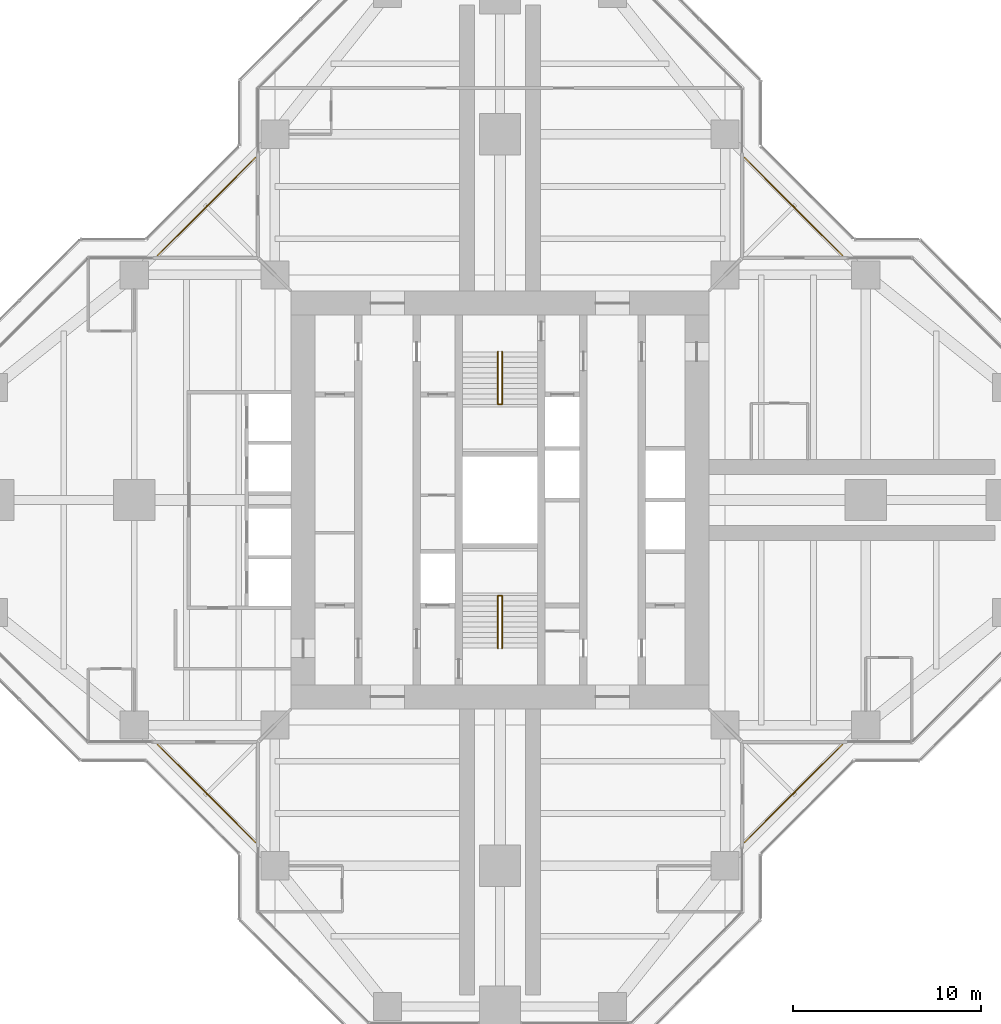
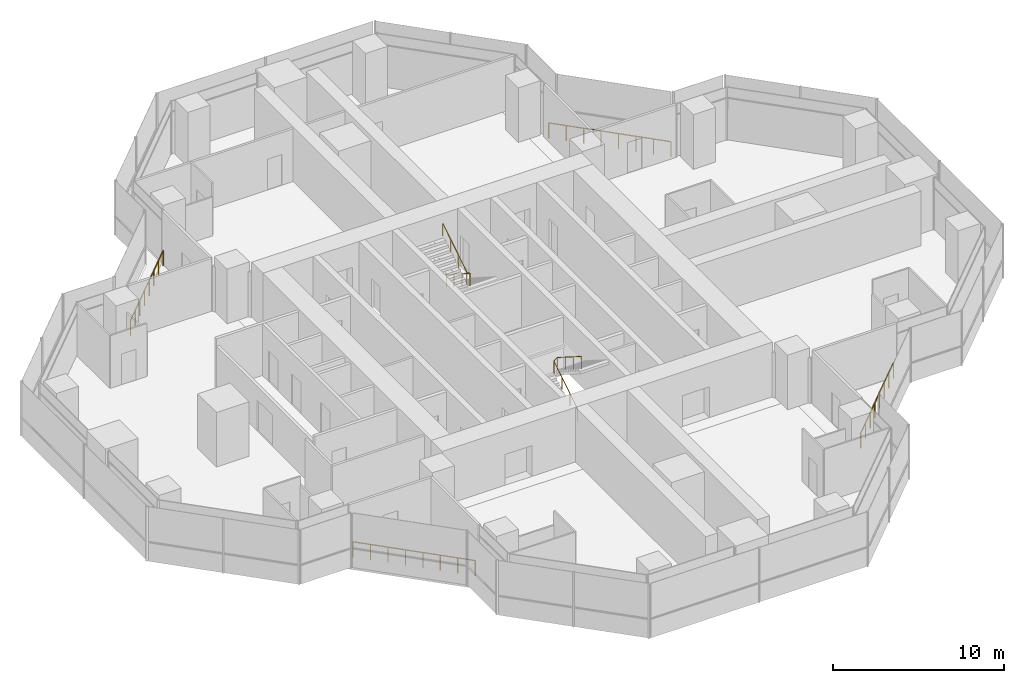
# One storey, part 17 of 17: 6 railings.
"""IFC4 building model written with IfcOpenShell, lengths in metres."""

from ifc_helpers import new_model, si_unit, direction, frame, origin, origin_2d, place, context, subcontext, project, spatial, circle, extrude, material, type_object, element, save


model = new_model("IFC4")

# Units and contexts
model_context = context("Model", 3, precision=1e-05, world=origin(), true_north=direction((0.0, 1.0)))
body_context = subcontext(model_context, "Body", "Model", "MODEL_VIEW")
ifc_project = project(units=[si_unit("LENGTHUNIT", "METRE"), si_unit("AREAUNIT", "SQUARE_METRE"), si_unit("VOLUMEUNIT", "CUBIC_METRE"), si_unit("PLANEANGLEUNIT", "RADIAN"), si_unit("MASSUNIT", "GRAM", prefix="KILO")], contexts=[model_context])

# Site, building, storey
site_placement = place(None, origin())
site = spatial("IfcSite", under=ifc_project, at=site_placement, CompositionType="ELEMENT")
building_placement = place(site_placement, origin())
building = spatial("IfcBuilding", under=site, at=building_placement, Name="Mizan Broadcast Tower", CompositionType="ELEMENT")
storey_placement = place(building_placement, frame((0.0, 0.0, 259.5)))
storey = spatial("IfcBuildingStorey", under=building, at=storey_placement, Name="L61", CompositionType="ELEMENT", Elevation=259.5)

# Railings
ifc_material_1 = material(Name="Stainless steel and glass guard", Category="steel")
railing_type_1 = type_object("IfcRailingType", Name="GUARD 1100", PredefinedType="GUARDRAIL", material=ifc_material_1)
railing_1_placement = place(storey_placement, frame((18.2578125, 13.030029296875, 0.0)))
element("IfcRailing", 1, at=railing_1_placement, inside=storey, type_object=railing_type_1, Name="Winter garden guard L61 E", PredefinedType="GUARDRAIL", context=body_context, shape_type="SweptSolid", body=[
    extrude(circle(Radius=0.02392578125, at=origin_2d()), frame((0.0, 0.0, 1.076171875), z_axis=(-0.707106781187, 0.707106781187, 0.0), x_axis=(-0.707106781187, -0.707106781187, 0.0)), (0.0, 0.0, 1.0), 7.393310546875),
    extrude(circle(Radius=0.02099609375, at=origin_2d()), origin(), (0.0, 0.0, 1.0), 1.052001953125),
    extrude(circle(Radius=0.02099609375, at=origin_2d()), frame((-0.746826171875, 0.746826171875, 0.0)), (0.0, 0.0, 1.0), 1.052001953125),
    extrude(circle(Radius=0.02099609375, at=origin_2d()), frame((-1.49365234375, 1.49365234375, 0.0)), (0.0, 0.0, 1.0), 1.052001953125),
    extrude(circle(Radius=0.02099609375, at=origin_2d()), frame((-2.240478515625, 2.240478515625, 0.0)), (0.0, 0.0, 1.0), 1.052001953125),
    extrude(circle(Radius=0.02099609375, at=origin_2d()), frame((-2.9873046875, 2.9873046875, 0.0)), (0.0, 0.0, 1.0), 1.052001953125),
    extrude(circle(Radius=0.02099609375, at=origin_2d()), frame((-3.734130859375, 3.734130859375, 0.0)), (0.0, 0.0, 1.0), 1.052001953125),
    extrude(circle(Radius=0.02099609375, at=origin_2d()), frame((-4.48095703125, 4.48095703125, 0.0)), (0.0, 0.0, 1.0), 1.052001953125),
    extrude(circle(Radius=0.02099609375, at=origin_2d()), frame((-5.227783203125, 5.227783203125, 0.0)), (0.0, 0.0, 1.0), 1.052001953125),
])
railing_2_placement = place(storey_placement, frame((-13.030029296875, 18.2578125, 0.0)))
element("IfcRailing", 2, at=railing_2_placement, inside=storey, type_object=railing_type_1, Name="Winter garden guard L61 N", PredefinedType="GUARDRAIL", context=body_context, shape_type="SweptSolid", body=[
    extrude(circle(Radius=0.02392578125, at=origin_2d()), frame((0.0, 0.0, 1.076171875), z_axis=(-0.707106781187, -0.707106781187, 0.0), x_axis=(0.707106781187, -0.707106781187, 0.0)), (0.0, 0.0, 1.0), 7.393310546875),
    extrude(circle(Radius=0.02099609375, at=origin_2d()), origin(), (0.0, 0.0, 1.0), 1.052001953125),
    extrude(circle(Radius=0.02099609375, at=origin_2d()), frame((-0.746826171875, -0.746826171875, 0.0)), (0.0, 0.0, 1.0), 1.052001953125),
    extrude(circle(Radius=0.02099609375, at=origin_2d()), frame((-1.49365234375, -1.49365234375, 0.0)), (0.0, 0.0, 1.0), 1.052001953125),
    extrude(circle(Radius=0.02099609375, at=origin_2d()), frame((-2.240478515625, -2.240478515625, 0.0)), (0.0, 0.0, 1.0), 1.052001953125),
    extrude(circle(Radius=0.02099609375, at=origin_2d()), frame((-2.9873046875, -2.9873046875, 0.0)), (0.0, 0.0, 1.0), 1.052001953125),
    extrude(circle(Radius=0.02099609375, at=origin_2d()), frame((-3.734130859375, -3.734130859375, 0.0)), (0.0, 0.0, 1.0), 1.052001953125),
    extrude(circle(Radius=0.02099609375, at=origin_2d()), frame((-4.48095703125, -4.48095703125, 0.0)), (0.0, 0.0, 1.0), 1.052001953125),
    extrude(circle(Radius=0.02099609375, at=origin_2d()), frame((-5.227783203125, -5.227783203125, 0.0)), (0.0, 0.0, 1.0), 1.052001953125),
])
railing_3_placement = place(storey_placement, frame((-18.2578125, -13.030029296875, 0.0)))
element("IfcRailing", 3, at=railing_3_placement, inside=storey, type_object=railing_type_1, Name="Winter garden guard L61 W", PredefinedType="GUARDRAIL", context=body_context, shape_type="SweptSolid", body=[
    extrude(circle(Radius=0.02392578125, at=origin_2d()), frame((0.0, 0.0, 1.076171875), z_axis=(0.707106781187, -0.707106781187, 0.0), x_axis=(0.707106781187, 0.707106781187, 0.0)), (0.0, 0.0, 1.0), 7.393310546875),
    extrude(circle(Radius=0.02099609375, at=origin_2d()), origin(), (0.0, 0.0, 1.0), 1.052001953125),
    extrude(circle(Radius=0.02099609375, at=origin_2d()), frame((0.746826171875, -0.746826171875, 0.0)), (0.0, 0.0, 1.0), 1.052001953125),
    extrude(circle(Radius=0.02099609375, at=origin_2d()), frame((1.49365234375, -1.49365234375, 0.0)), (0.0, 0.0, 1.0), 1.052001953125),
    extrude(circle(Radius=0.02099609375, at=origin_2d()), frame((2.240478515625, -2.240478515625, 0.0)), (0.0, 0.0, 1.0), 1.052001953125),
    extrude(circle(Radius=0.02099609375, at=origin_2d()), frame((2.9873046875, -2.9873046875, 0.0)), (0.0, 0.0, 1.0), 1.052001953125),
    extrude(circle(Radius=0.02099609375, at=origin_2d()), frame((3.734130859375, -3.734130859375, 0.0)), (0.0, 0.0, 1.0), 1.052001953125),
    extrude(circle(Radius=0.02099609375, at=origin_2d()), frame((4.48095703125, -4.48095703125, 0.0)), (0.0, 0.0, 1.0), 1.052001953125),
    extrude(circle(Radius=0.02099609375, at=origin_2d()), frame((5.227783203125, -5.227783203125, 0.0)), (0.0, 0.0, 1.0), 1.052001953125),
])
railing_4_placement = place(storey_placement, frame((13.030029296875, -18.2578125, 0.0)))
element("IfcRailing", 4, at=railing_4_placement, inside=storey, type_object=railing_type_1, Name="Winter garden guard L61 S", PredefinedType="GUARDRAIL", context=body_context, shape_type="SweptSolid", body=[
    extrude(circle(Radius=0.02392578125, at=origin_2d()), frame((0.0, 0.0, 1.076171875), z_axis=(0.707106781187, 0.707106781187, 0.0), x_axis=(-0.707106781187, 0.707106781187, 0.0)), (0.0, 0.0, 1.0), 7.393310546875),
    extrude(circle(Radius=0.02099609375, at=origin_2d()), origin(), (0.0, 0.0, 1.0), 1.052001953125),
    extrude(circle(Radius=0.02099609375, at=origin_2d()), frame((0.746826171875, 0.746826171875, 0.0)), (0.0, 0.0, 1.0), 1.052001953125),
    extrude(circle(Radius=0.02099609375, at=origin_2d()), frame((1.49365234375, 1.49365234375, 0.0)), (0.0, 0.0, 1.0), 1.052001953125),
    extrude(circle(Radius=0.02099609375, at=origin_2d()), frame((2.240478515625, 2.240478515625, 0.0)), (0.0, 0.0, 1.0), 1.052001953125),
    extrude(circle(Radius=0.02099609375, at=origin_2d()), frame((2.9873046875, 2.9873046875, 0.0)), (0.0, 0.0, 1.0), 1.052001953125),
    extrude(circle(Radius=0.02099609375, at=origin_2d()), frame((3.734130859375, 3.734130859375, 0.0)), (0.0, 0.0, 1.0), 1.052001953125),
    extrude(circle(Radius=0.02099609375, at=origin_2d()), frame((4.48095703125, 4.48095703125, 0.0)), (0.0, 0.0, 1.0), 1.052001953125),
    extrude(circle(Radius=0.02099609375, at=origin_2d()), frame((5.227783203125, 5.227783203125, 0.0)), (0.0, 0.0, 1.0), 1.052001953125),
])
ifc_material_2 = material(Name="Stainless steel", Category="steel")
railing_type_2 = type_object("IfcRailingType", Name="HANDRAIL 50", PredefinedType="HANDRAIL", material=ifc_material_2)
railing_5_placement = place(storey_placement, frame((-0.110107421875, -7.89990234375, 0.17724609375)))
element("IfcRailing", 5, at=railing_5_placement, inside=storey, type_object=railing_type_2, Name="Stair A handrail", PredefinedType="HANDRAIL", context=body_context, shape_type="SweptSolid", body=[
    extrude(circle(Radius=0.02392578125, at=origin_2d()), frame((0.0, 0.0, 0.8759765625), z_axis=(0.0, 0.844887892834, 0.53494340686), x_axis=(-1.0, 0.0, 0.0)), (0.0, 0.0, 1.0), 3.313720703125),
    extrude(circle(Radius=0.02392578125, at=origin_2d()), frame((0.0, 2.7998046875, 2.6484375), z_axis=(0.779011685263, 0.0, 0.627009405212), x_axis=(0.0, 1.0, 0.0)), (0.0, 0.0, 1.0), 0.28271484375),
    extrude(circle(Radius=0.02392578125, at=origin_2d()), frame((0.22021484375, 2.7998046875, 2.82568359375), z_axis=(0.0, -0.844887892834, 0.53494340686), x_axis=(1.0, 0.0, 0.0)), (0.0, 0.0, 1.0), 3.313720703125),
    extrude(circle(Radius=0.02099609375, at=origin_2d()), origin(), (0.0, 0.0, 1.0), 0.851806640625),
    extrude(circle(Radius=0.02099609375, at=origin_2d()), frame((0.0, 0.933349609375, 0.5908203125)), (0.0, 0.0, 1.0), 0.851806640625),
    extrude(circle(Radius=0.02099609375, at=origin_2d()), frame((0.0, 1.866455078125, 1.181884765625)), (0.0, 0.0, 1.0), 0.851806640625),
    extrude(circle(Radius=0.02099609375, at=origin_2d()), frame((0.0, 2.7998046875, 1.772705078125)), (0.0, 0.0, 1.0), 0.851806640625),
    extrude(circle(Radius=0.02099609375, at=origin_2d()), frame((0.22021484375, 2.7998046875, 1.949951171875)), (0.0, 0.0, 1.0), 0.851806640625),
    extrude(circle(Radius=0.02099609375, at=origin_2d()), frame((0.22021484375, 1.866455078125, 2.540771484375)), (0.0, 0.0, 1.0), 0.851806640625),
    extrude(circle(Radius=0.02099609375, at=origin_2d()), frame((0.22021484375, 0.933349609375, 3.1318359375)), (0.0, 0.0, 1.0), 0.851806640625),
    extrude(circle(Radius=0.02099609375, at=origin_2d()), frame((0.22021484375, 0.0, 3.72265625)), (0.0, 0.0, 1.0), 0.851806640625),
])
railing_6_placement = place(storey_placement, frame((0.110107421875, 7.89990234375, 0.17724609375)))
element("IfcRailing", 6, at=railing_6_placement, inside=storey, type_object=railing_type_2, Name="Stair B handrail", PredefinedType="HANDRAIL", context=body_context, shape_type="SweptSolid", body=[
    extrude(circle(Radius=0.02392578125, at=origin_2d()), frame((0.0, 0.0, 0.8759765625), z_axis=(0.0, -0.844887892834, 0.53494340686), x_axis=(1.0, 0.0, 0.0)), (0.0, 0.0, 1.0), 3.313720703125),
    extrude(circle(Radius=0.02392578125, at=origin_2d()), frame((0.0, -2.7998046875, 2.6484375), z_axis=(-0.779011685263, 0.0, 0.627009405212), x_axis=(0.0, -1.0, 0.0)), (0.0, 0.0, 1.0), 0.28271484375),
    extrude(circle(Radius=0.02392578125, at=origin_2d()), frame((-0.22021484375, -2.7998046875, 2.82568359375), z_axis=(0.0, 0.844887892834, 0.53494340686), x_axis=(-1.0, 0.0, 0.0)), (0.0, 0.0, 1.0), 3.313720703125),
    extrude(circle(Radius=0.02099609375, at=origin_2d()), origin(), (0.0, 0.0, 1.0), 0.851806640625),
    extrude(circle(Radius=0.02099609375, at=origin_2d()), frame((0.0, -0.933349609375, 0.5908203125)), (0.0, 0.0, 1.0), 0.851806640625),
    extrude(circle(Radius=0.02099609375, at=origin_2d()), frame((0.0, -1.866455078125, 1.181884765625)), (0.0, 0.0, 1.0), 0.851806640625),
    extrude(circle(Radius=0.02099609375, at=origin_2d()), frame((0.0, -2.7998046875, 1.772705078125)), (0.0, 0.0, 1.0), 0.851806640625),
    extrude(circle(Radius=0.02099609375, at=origin_2d()), frame((-0.22021484375, -2.7998046875, 1.949951171875)), (0.0, 0.0, 1.0), 0.851806640625),
    extrude(circle(Radius=0.02099609375, at=origin_2d()), frame((-0.22021484375, -1.866455078125, 2.540771484375)), (0.0, 0.0, 1.0), 0.851806640625),
    extrude(circle(Radius=0.02099609375, at=origin_2d()), frame((-0.22021484375, -0.933349609375, 3.1318359375)), (0.0, 0.0, 1.0), 0.851806640625),
    extrude(circle(Radius=0.02099609375, at=origin_2d()), frame((-0.22021484375, 0.0, 3.72265625)), (0.0, 0.0, 1.0), 0.851806640625),
])

save(model, "model.ifc")
